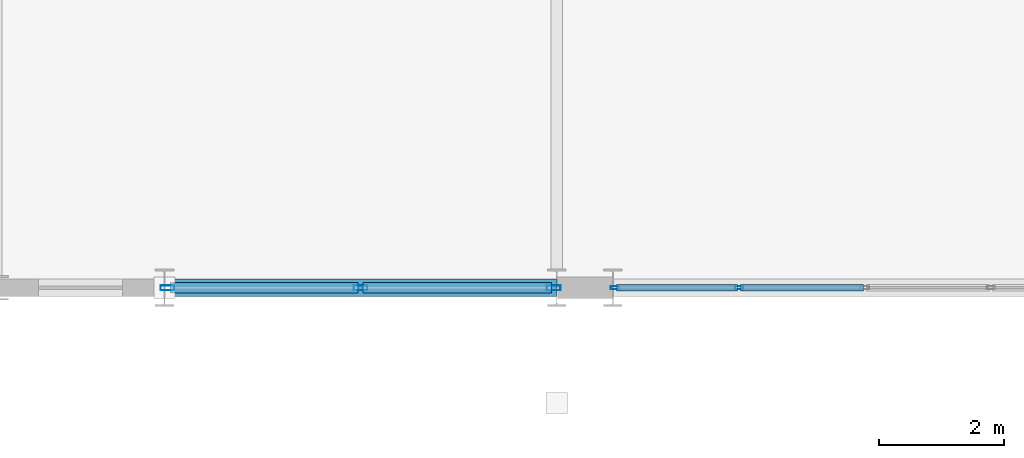
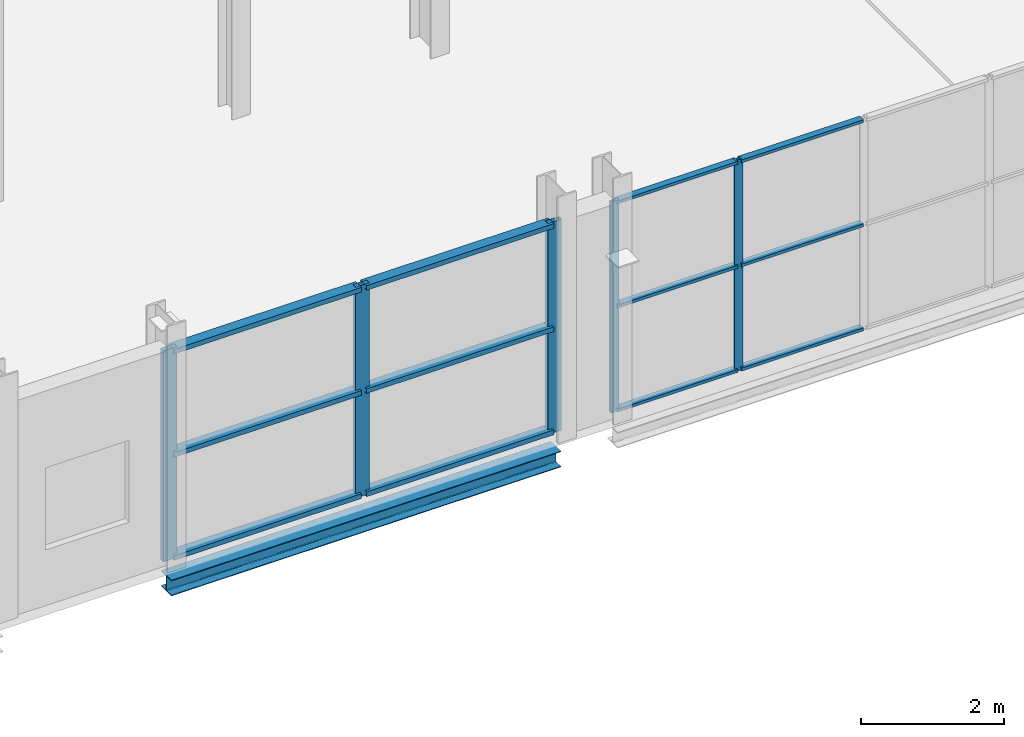
# One storey, part 35 of 88: 17 members, 1 beam, 2 elements without a shape of their own.
"""IFC4 building model written with IfcOpenShell, lengths in metres."""

from ifc_helpers import new_model, si_unit, direction, frame, origin, origin_2d, place, context, subcontext, project, spatial, hollow_rectangle, i_section, extrude, material, layer, layer_set, material_profile, profile_set, type_object, element, aggregate, save


model = new_model("IFC4")

# Units and contexts
model_context = context("Model", 3, precision=1e-05, world=origin(), true_north=direction((0.0, 1.0)))
body_context = subcontext(model_context, "Body", "Model", "MODEL_VIEW")
ifc_project = project(units=[si_unit("LENGTHUNIT", "METRE"), si_unit("AREAUNIT", "SQUARE_METRE"), si_unit("VOLUMEUNIT", "CUBIC_METRE"), si_unit("PLANEANGLEUNIT", "RADIAN"), si_unit("MASSUNIT", "GRAM", prefix="KILO")], contexts=[model_context])

# Site, building, storey
site_placement = place(None, origin())
site = spatial("IfcSite", under=ifc_project, at=site_placement, CompositionType="ELEMENT")
building_placement = place(site_placement, origin())
building = spatial("IfcBuilding", under=site, at=building_placement, Name="Deido Ridge Mobility Hub", CompositionType="ELEMENT")
storey_placement = place(building_placement, frame((0.0, 0.0, 16.800048828125)))
storey = spatial("IfcBuildingStorey", under=building, at=storey_placement, Name="L04", CompositionType="ELEMENT", Elevation=16.800048828125)

# Curtain wall, members
ifc_material_1 = material(Name="Anodised aluminium EN AW-6063 T6", Category="aluminium")
ifc_layer_1 = layer(ifc_material_1, 0.1650390625, Name="Anodised aluminium EN AW-6063 T6")
ifc_layer_set_1 = layer_set([ifc_layer_1], Name="Anodised aluminium EN AW-6063 T6")
curtain_wall_type_1 = type_object("IfcCurtainWallType", Name="CW-UF-1", PredefinedType="USERDEFINED", material=ifc_layer_set_1)
curtain_wall_1_placement = place(storey_placement, origin())
curtain_wall_1 = element("IfcCurtainWall", 1, at=curtain_wall_1_placement, inside=storey, type_object=curtain_wall_type_1, Name="Unitised curtain wall CW1", ObjectType="UNITISED FACADE", PredefinedType="USERDEFINED")
ifc_material_profile_1 = material_profile(ifc_material_1, hollow_rectangle(XDim=0.050048828125, YDim=0.1298828125, WallThickness=0.00390625, at=origin_2d()), Name="RHS 50x130x4")
ifc_profile_set_1 = profile_set([ifc_material_profile_1], Name="Anodised aluminium EN AW-6063 T6")
member_type_1 = type_object("IfcMemberType", Name="MEM-MUL-50X130", PredefinedType="MULLION", material=ifc_profile_set_1)
member_1_placement = place(storey_placement, frame((135.9326171875, 0.0, 0.0), z_axis=(0.0, 0.0, 1.0), x_axis=(0.0, 1.0, 0.0)))
member_1 = element("IfcMember", 2, at=member_1_placement, type_object=member_type_1, Name="CW1 mullion 1", PredefinedType="MULLION", context=body_context, shape_type="SweptSolid", body=[
    extrude(hollow_rectangle(XDim=0.050048828125, YDim=0.1298828125, WallThickness=0.00390625, at=origin_2d()), origin(), (0.0, 0.0, 1.0), 3.599853515625),
])
member_2_placement = place(storey_placement, frame((137.9287109375, 0.0, 0.0), z_axis=(0.0, 0.0, 1.0), x_axis=(0.0, 1.0, 0.0)))
member_2 = element("IfcMember", 3, at=member_2_placement, type_object=member_type_1, Name="CW1 mullion 2", PredefinedType="MULLION", context=body_context, shape_type="SweptSolid", body=[
    extrude(hollow_rectangle(XDim=0.050048828125, YDim=0.1298828125, WallThickness=0.00390625, at=origin_2d()), origin(), (0.0, 0.0, 1.0), 3.599853515625),
])

ifc_layer_2 = layer(ifc_material_1, 0.2548828125, Name="Anodised aluminium EN AW-6063 T6")
ifc_layer_set_2 = layer_set([ifc_layer_2], Name="Anodised aluminium EN AW-6063 T6")
curtain_wall_type_2 = type_object("IfcCurtainWallType", Name="CW-UF-7", PredefinedType="USERDEFINED", material=ifc_layer_set_2)
curtain_wall_2_placement = place(storey_placement, origin())
curtain_wall_2 = element("IfcCurtainWall", 4, at=curtain_wall_2_placement, inside=storey, type_object=curtain_wall_type_2, Name="Unitised curtain wall CW7", ObjectType="UNITISED FACADE", PredefinedType="USERDEFINED")
ifc_material_profile_2 = material_profile(ifc_material_1, hollow_rectangle(XDim=0.080078125, YDim=0.219970703125, WallThickness=0.00390625, at=origin_2d()), Name="RHS 80x220x4")
ifc_profile_set_2 = profile_set([ifc_material_profile_2], Name="Anodised aluminium EN AW-6063 T6")
member_type_2 = type_object("IfcMemberType", Name="MEM-MUL-80X220", PredefinedType="MULLION", material=ifc_profile_set_2)
member_3_placement = place(storey_placement, frame((128.747802734375, 0.0, 0.0), z_axis=(0.0, 0.0, 1.0), x_axis=(0.0, 1.0, 0.0)))
member_3 = element("IfcMember", 5, at=member_3_placement, type_object=member_type_2, Name="CW7 mullion 1", PredefinedType="MULLION", context=body_context, shape_type="SweptSolid", body=[
    extrude(hollow_rectangle(XDim=0.080078125, YDim=0.219970703125, WallThickness=0.00390625, at=origin_2d()), origin(), (0.0, 0.0, 1.0), 3.599853515625),
])
member_4_placement = place(storey_placement, frame((131.85009765625, 0.0, 0.0), z_axis=(0.0, 0.0, 1.0), x_axis=(0.0, 1.0, 0.0)))
member_4 = element("IfcMember", 6, at=member_4_placement, type_object=member_type_2, Name="CW7 mullion 2", PredefinedType="MULLION", context=body_context, shape_type="SweptSolid", body=[
    extrude(hollow_rectangle(XDim=0.080078125, YDim=0.219970703125, WallThickness=0.00390625, at=origin_2d()), origin(), (0.0, 0.0, 1.0), 3.599853515625),
])
member_5_placement = place(storey_placement, frame((134.952392578125, 0.0, 0.0), z_axis=(0.0, 0.0, 1.0), x_axis=(0.0, 1.0, 0.0)))
member_5 = element("IfcMember", 7, at=member_5_placement, type_object=member_type_2, Name="CW7 mullion 3", PredefinedType="MULLION", context=body_context, shape_type="SweptSolid", body=[
    extrude(hollow_rectangle(XDim=0.080078125, YDim=0.219970703125, WallThickness=0.00390625, at=origin_2d()), origin(), (0.0, 0.0, 1.0), 3.599853515625),
])

# Member
ifc_material_profile_3 = material_profile(ifc_material_1, hollow_rectangle(XDim=0.10498046875, YDim=0.050048828125, WallThickness=0.00390625, at=origin_2d()), Name="RHS 105x50x4")
ifc_profile_set_3 = profile_set([ifc_material_profile_3], Name="Anodised aluminium EN AW-6063 T6")
member_type_3 = type_object("IfcMemberType", Name="MEM-TRN-105X50", PredefinedType="USERDEFINED", material=ifc_profile_set_3)
member_6_placement = place(storey_placement, frame((135.957763671875, 0.0, 0.02490234375), z_axis=(1.0, 0.0, 0.0), x_axis=(0.0, 1.0, 0.0)))
member_6 = element("IfcMember", 8, at=member_6_placement, type_object=member_type_3, Name="CW1 transom 1.1", ObjectType="TRANSOM", PredefinedType="USERDEFINED", context=body_context, shape_type="SweptSolid", body=[
    extrude(hollow_rectangle(XDim=0.10498046875, YDim=0.050048828125, WallThickness=0.00390625, at=origin_2d()), origin(), (0.0, 0.0, 1.0), 1.94580078125),
])

member_7_placement = place(storey_placement, frame((135.957763671875, 0.0, 1.800048828125), z_axis=(1.0, 0.0, 0.0), x_axis=(0.0, 1.0, 0.0)))
member_7 = element("IfcMember", 9, at=member_7_placement, type_object=member_type_3, Name="CW1 transom 1.2", ObjectType="TRANSOM", PredefinedType="USERDEFINED", context=body_context, shape_type="SweptSolid", body=[
    extrude(hollow_rectangle(XDim=0.10498046875, YDim=0.050048828125, WallThickness=0.00390625, at=origin_2d()), origin(), (0.0, 0.0, 1.0), 1.94580078125),
])

member_8_placement = place(storey_placement, frame((135.957763671875, 0.0, 3.574951171875), z_axis=(1.0, 0.0, 0.0), x_axis=(0.0, 1.0, 0.0)))
member_8 = element("IfcMember", 10, at=member_8_placement, type_object=member_type_3, Name="CW1 transom 1.3", ObjectType="TRANSOM", PredefinedType="USERDEFINED", context=body_context, shape_type="SweptSolid", body=[
    extrude(hollow_rectangle(XDim=0.10498046875, YDim=0.050048828125, WallThickness=0.00390625, at=origin_2d()), origin(), (0.0, 0.0, 1.0), 1.94580078125),
])

member_9_placement = place(storey_placement, frame((137.95361328125, 0.0, 0.02490234375), z_axis=(1.0, 0.0, 0.0), x_axis=(0.0, 1.0, 0.0)))
member_9 = element("IfcMember", 11, at=member_9_placement, type_object=member_type_3, Name="CW1 transom 2.1", ObjectType="TRANSOM", PredefinedType="USERDEFINED", context=body_context, shape_type="SweptSolid", body=[
    extrude(hollow_rectangle(XDim=0.10498046875, YDim=0.050048828125, WallThickness=0.00390625, at=origin_2d()), origin(), (0.0, 0.0, 1.0), 1.970947265625),
])

member_10_placement = place(storey_placement, frame((137.95361328125, 0.0, 1.800048828125), z_axis=(1.0, 0.0, 0.0), x_axis=(0.0, 1.0, 0.0)))
member_10 = element("IfcMember", 12, at=member_10_placement, type_object=member_type_3, Name="CW1 transom 2.2", ObjectType="TRANSOM", PredefinedType="USERDEFINED", context=body_context, shape_type="SweptSolid", body=[
    extrude(hollow_rectangle(XDim=0.10498046875, YDim=0.050048828125, WallThickness=0.00390625, at=origin_2d()), origin(), (0.0, 0.0, 1.0), 1.970947265625),
])

member_11_placement = place(storey_placement, frame((137.95361328125, 0.0, 3.574951171875), z_axis=(1.0, 0.0, 0.0), x_axis=(0.0, 1.0, 0.0)))
member_11 = element("IfcMember", 13, at=member_11_placement, type_object=member_type_3, Name="CW1 transom 2.3", ObjectType="TRANSOM", PredefinedType="USERDEFINED", context=body_context, shape_type="SweptSolid", body=[
    extrude(hollow_rectangle(XDim=0.10498046875, YDim=0.050048828125, WallThickness=0.00390625, at=origin_2d()), origin(), (0.0, 0.0, 1.0), 1.970947265625),
])

aggregate(curtain_wall_1, [member_1, member_2, member_6, member_7, member_8, member_9, member_10, member_11])

ifc_material_profile_4 = material_profile(ifc_material_1, hollow_rectangle(XDim=0.1650390625, YDim=0.080078125, WallThickness=0.00390625, at=origin_2d()), Name="RHS 165x80x4")
ifc_profile_set_4 = profile_set([ifc_material_profile_4], Name="Anodised aluminium EN AW-6063 T6")
member_type_4 = type_object("IfcMemberType", Name="MEM-TRN-165X80", PredefinedType="USERDEFINED", material=ifc_profile_set_4)
member_12_placement = place(storey_placement, frame((128.78759765625, 0.0, 0.0400390625), z_axis=(1.0, 0.0, 0.0), x_axis=(0.0, 1.0, 0.0)))
member_12 = element("IfcMember", 14, at=member_12_placement, type_object=member_type_4, Name="CW7 transom 1.1", ObjectType="TRANSOM", PredefinedType="USERDEFINED", context=body_context, shape_type="SweptSolid", body=[
    extrude(hollow_rectangle(XDim=0.1650390625, YDim=0.080078125, WallThickness=0.00390625, at=origin_2d()), origin(), (0.0, 0.0, 1.0), 3.0224609375),
])

member_13_placement = place(storey_placement, frame((128.78759765625, 0.0, 1.800048828125), z_axis=(1.0, 0.0, 0.0), x_axis=(0.0, 1.0, 0.0)))
member_13 = element("IfcMember", 15, at=member_13_placement, type_object=member_type_4, Name="CW7 transom 1.2", ObjectType="TRANSOM", PredefinedType="USERDEFINED", context=body_context, shape_type="SweptSolid", body=[
    extrude(hollow_rectangle(XDim=0.1650390625, YDim=0.080078125, WallThickness=0.00390625, at=origin_2d()), origin(), (0.0, 0.0, 1.0), 3.0224609375),
])

member_14_placement = place(storey_placement, frame((128.78759765625, 0.0, 3.56005859375), z_axis=(1.0, 0.0, 0.0), x_axis=(0.0, 1.0, 0.0)))
member_14 = element("IfcMember", 16, at=member_14_placement, type_object=member_type_4, Name="CW7 transom 1.3", ObjectType="TRANSOM", PredefinedType="USERDEFINED", context=body_context, shape_type="SweptSolid", body=[
    extrude(hollow_rectangle(XDim=0.1650390625, YDim=0.080078125, WallThickness=0.00390625, at=origin_2d()), origin(), (0.0, 0.0, 1.0), 3.0224609375),
])

member_15_placement = place(storey_placement, frame((131.889892578125, 0.0, 0.0400390625), z_axis=(1.0, 0.0, 0.0), x_axis=(0.0, 1.0, 0.0)))
member_15 = element("IfcMember", 17, at=member_15_placement, type_object=member_type_4, Name="CW7 transom 2.1", ObjectType="TRANSOM", PredefinedType="USERDEFINED", context=body_context, shape_type="SweptSolid", body=[
    extrude(hollow_rectangle(XDim=0.1650390625, YDim=0.080078125, WallThickness=0.00390625, at=origin_2d()), origin(), (0.0, 0.0, 1.0), 3.0224609375),
])

member_16_placement = place(storey_placement, frame((131.889892578125, 0.0, 1.800048828125), z_axis=(1.0, 0.0, 0.0), x_axis=(0.0, 1.0, 0.0)))
member_16 = element("IfcMember", 18, at=member_16_placement, type_object=member_type_4, Name="CW7 transom 2.2", ObjectType="TRANSOM", PredefinedType="USERDEFINED", context=body_context, shape_type="SweptSolid", body=[
    extrude(hollow_rectangle(XDim=0.1650390625, YDim=0.080078125, WallThickness=0.00390625, at=origin_2d()), origin(), (0.0, 0.0, 1.0), 3.0224609375),
])

member_17_placement = place(storey_placement, frame((131.889892578125, 0.0, 3.56005859375), z_axis=(1.0, 0.0, 0.0), x_axis=(0.0, 1.0, 0.0)))
member_17 = element("IfcMember", 19, at=member_17_placement, type_object=member_type_4, Name="CW7 transom 2.3", ObjectType="TRANSOM", PredefinedType="USERDEFINED", context=body_context, shape_type="SweptSolid", body=[
    extrude(hollow_rectangle(XDim=0.1650390625, YDim=0.080078125, WallThickness=0.00390625, at=origin_2d()), origin(), (0.0, 0.0, 1.0), 3.0224609375),
])

aggregate(curtain_wall_2, [member_3, member_4, member_5, member_12, member_13, member_14, member_15, member_16, member_17])

# Beam
ifc_material_2 = material(Name="Steel S355J2 EN 10025-2", Category="steel")
ifc_material_profile_5 = material_profile(ifc_material_2, i_section(OverallWidth=0.280029296875, OverallDepth=0.27001953125, WebThickness=0.008056640625, FlangeThickness=0.012939453125, FilletRadius=0.02392578125, at=origin_2d()), Name="HEA 280")
ifc_profile_set_5 = profile_set([ifc_material_profile_5], Name="Steel S355J2 EN 10025-2")
beam_type = type_object("IfcBeamType", Name="SPD-HEA280", PredefinedType="SPANDREL", material=ifc_profile_set_5)
beam_placement = place(storey_placement, frame((128.707763671875, 0.0, -0.41015625), z_axis=(1.0, 0.0, 0.0), x_axis=(0.0, 1.0, 0.0)))
element("IfcBeam", 20, at=beam_placement, inside=storey, type_object=beam_type, Name="Floor beam SP2", PredefinedType="SPANDREL", context=body_context, shape_type="SweptSolid", body=[
    extrude(i_section(OverallWidth=0.280029296875, OverallDepth=0.27001953125, WebThickness=0.008056640625, FlangeThickness=0.012939453125, FilletRadius=0.02392578125, at=origin_2d()), origin(), (0.0, 0.0, 1.0), 6.284423828125),
])

save(model, "model.ifc")
